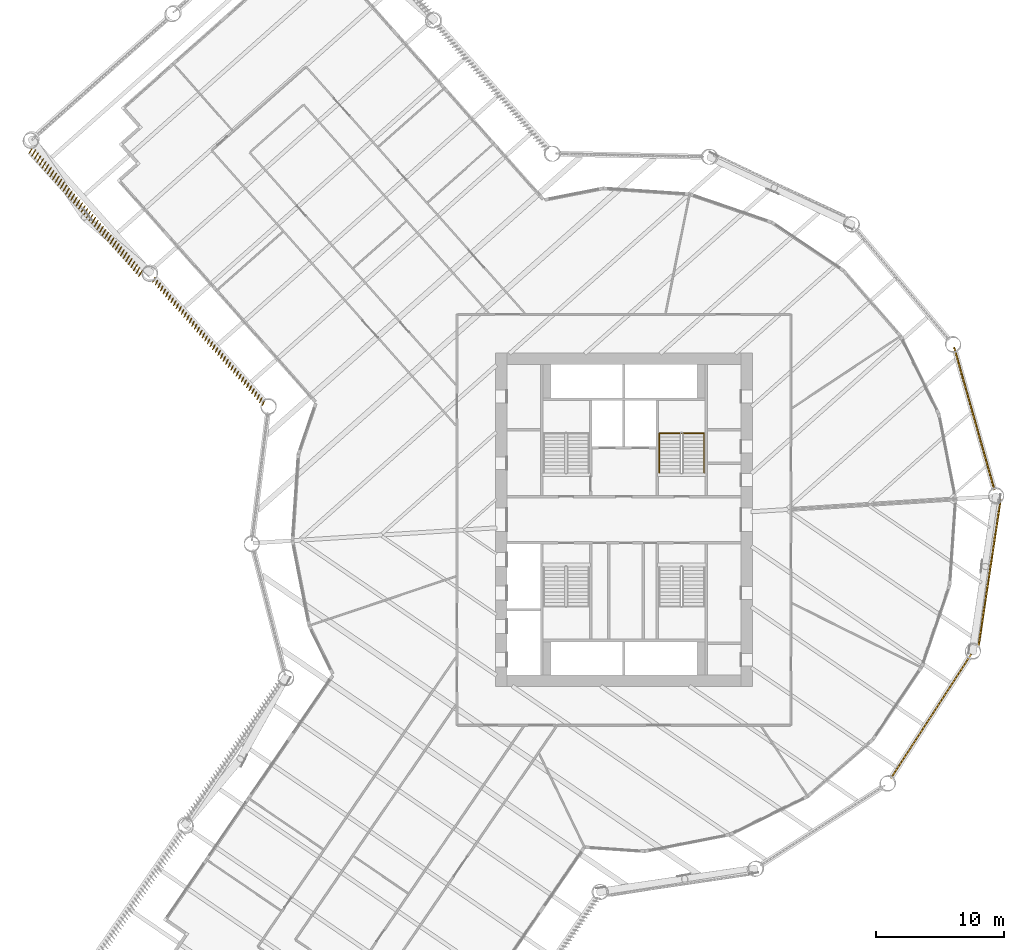
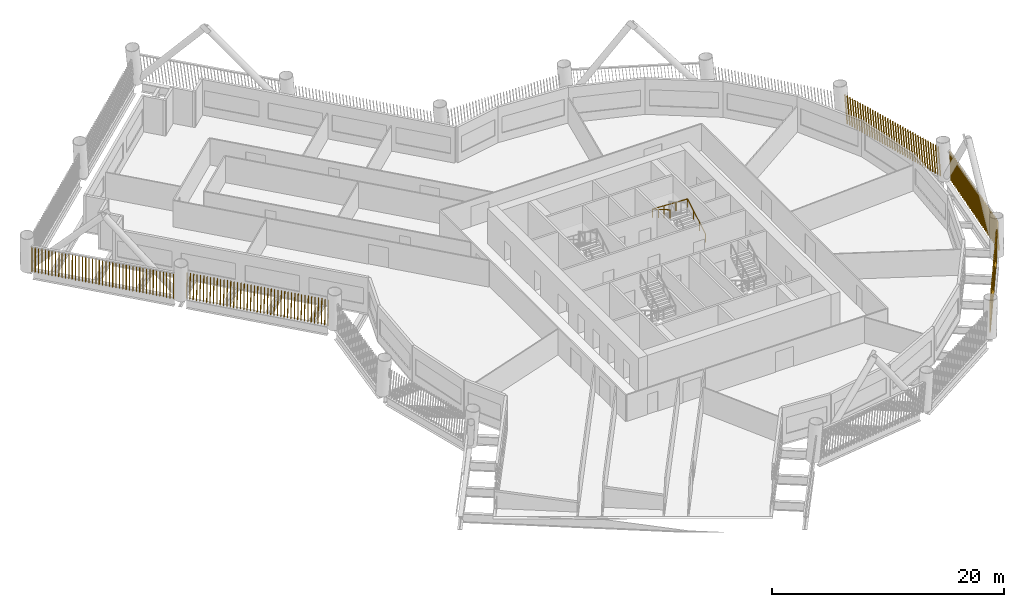
# One storey, part 20 of 22: 5 shading devices, 1 railing.
"""IFC4 building model written with IfcOpenShell, lengths in metres."""

from ifc_helpers import new_model, si_unit, direction, frame, frame_2d, origin, origin_2d, place, context, subcontext, project, spatial, rectangle, circle, composite_profile, extrude, material, type_object, element, save


model = new_model("IFC4")

# Units and contexts
model_context = context("Model", 3, precision=1e-05, world=origin(), true_north=direction((0.0, 1.0)))
body_context = subcontext(model_context, "Body", "Model", "MODEL_VIEW")
ifc_project = project(units=[si_unit("LENGTHUNIT", "METRE"), si_unit("AREAUNIT", "SQUARE_METRE"), si_unit("VOLUMEUNIT", "CUBIC_METRE"), si_unit("PLANEANGLEUNIT", "RADIAN"), si_unit("MASSUNIT", "GRAM", prefix="KILO")], contexts=[model_context])

# Site, building, storey
site_placement = place(None, origin())
site = spatial("IfcSite", under=ifc_project, at=site_placement, CompositionType="ELEMENT")
building_placement = place(site_placement, origin())
building = spatial("IfcBuilding", under=site, at=building_placement, Name="Tarsis Ring Headquarters", CompositionType="ELEMENT")
storey_placement = place(building_placement, frame((0.0, 0.0, 55.60009765625)))
storey = spatial("IfcBuildingStorey", under=building, at=storey_placement, Name="L11", CompositionType="ELEMENT", Elevation=55.60009765625)

# Railing
ifc_material_1 = material(Name="Steel S355", Category="steel")
railing_type = type_object("IfcRailingType", Name="Core stair handrail 900", PredefinedType="HANDRAIL", material=ifc_material_1)
railing_placement = place(storey_placement, frame((6.25, 3.659912109375, 0.162353515625)))
element("IfcRailing", 1, at=railing_placement, inside=storey, type_object=railing_type, Name="L11 ST2 stair handrail 1", PredefinedType="HANDRAIL", context=body_context, shape_type="SweptSolid", body=[
    extrude(circle(Radius=0.02392578125, at=origin_2d()), frame((0.0, 0.0, 0.8759765625), z_axis=(0.0, 0.864890721111, 0.501960198159), x_axis=(-1.0, 0.0, 0.0)), (0.0, 0.0, 1.0), 3.561279296875),
    extrude(circle(Radius=0.02392578125, at=origin_2d()), frame((0.0, 3.080078125, 2.66357421875), z_axis=(-0.998925869279, 0.0, 0.04633689335), x_axis=(0.0, -1.0, 0.0)), (0.0, 0.0, 1.0), 3.503662109375),
    extrude(circle(Radius=0.02392578125, at=origin_2d()), frame((-3.5, 3.080078125, 2.82568359375), z_axis=(0.0, -0.864890721111, 0.501960198159), x_axis=(1.0, 0.0, 0.0)), (0.0, 0.0, 1.0), 3.561279296875),
    extrude(circle(Radius=0.02099609375, at=origin_2d()), origin(), (0.0, 0.0, 1.0), 0.851806640625),
    extrude(circle(Radius=0.02099609375, at=origin_2d()), frame((0.0, 1.026611328125, 0.595947265625)), (0.0, 0.0, 1.0), 0.851806640625),
    extrude(circle(Radius=0.02099609375, at=origin_2d()), frame((0.0, 2.053466796875, 1.191650390625)), (0.0, 0.0, 1.0), 0.851806640625),
    extrude(circle(Radius=0.02099609375, at=origin_2d()), frame((0.0, 3.080078125, 1.78759765625)), (0.0, 0.0, 1.0), 0.851806640625),
    extrude(circle(Radius=0.02099609375, at=origin_2d()), frame((-1.166748046875, 3.080078125, 1.841796875)), (0.0, 0.0, 1.0), 0.851806640625),
    extrude(circle(Radius=0.02099609375, at=origin_2d()), frame((-2.333251953125, 3.080078125, 1.895751953125)), (0.0, 0.0, 1.0), 0.851806640625),
    extrude(circle(Radius=0.02099609375, at=origin_2d()), frame((-3.5, 3.080078125, 1.949951171875)), (0.0, 0.0, 1.0), 0.851806640625),
    extrude(circle(Radius=0.02099609375, at=origin_2d()), frame((-3.5, 2.053466796875, 2.5458984375)), (0.0, 0.0, 1.0), 0.851806640625),
    extrude(circle(Radius=0.02099609375, at=origin_2d()), frame((-3.5, 1.026611328125, 3.1416015625)), (0.0, 0.0, 1.0), 0.851806640625),
    extrude(circle(Radius=0.02099609375, at=origin_2d()), frame((-3.5, 0.0, 3.737548828125)), (0.0, 0.0, 1.0), 0.851806640625),
])

# Shading devices
ifc_material_2 = material(Name="Terracotta baguette", Category="masonry")
shading_device_type = type_object("IfcShadingDeviceType", Name="Terracotta baguette screen", PredefinedType="USERDEFINED", material=ifc_material_2)
shading_device_1_placement = place(storey_placement, frame((20.781494140625, -20.151123046875, 0.0), z_axis=(0.0, 0.0, 1.0), x_axis=(0.543384842434, 0.839482593975, 0.0)))
element("IfcShadingDevice", 2, at=shading_device_1_placement, inside=storey, type_object=shading_device_type, Name="Baguette screen L11-09", ObjectType="Terracotta baguette screen", PredefinedType="USERDEFINED", context=body_context, shape_type="SweptSolid", body=[
    extrude(composite_profile([rectangle(XDim=0.06005859375, YDim=0.1201171875, at=frame_2d((0.030029296875, 0.0))), rectangle(XDim=0.06005859375, YDim=0.1201171875, at=frame_2d((0.33251953125, 0.0))), rectangle(XDim=0.06005859375, YDim=0.1201171875, at=frame_2d((0.634765625, 0.0))), rectangle(XDim=0.06005859375, YDim=0.1201171875, at=frame_2d((0.937255859375, 0.0))), rectangle(XDim=0.06005859375, YDim=0.1201171875, at=frame_2d((1.239501953125, 0.0))), rectangle(XDim=0.06005859375, YDim=0.1201171875, at=frame_2d((1.5419921875, 0.0))), rectangle(XDim=0.06005859375, YDim=0.1201171875, at=frame_2d((1.844482421875, 0.0))), rectangle(XDim=0.06005859375, YDim=0.1201171875, at=frame_2d((2.146728515625, 0.0))), rectangle(XDim=0.06005859375, YDim=0.1201171875, at=frame_2d((2.44921875, 0.0))), rectangle(XDim=0.06005859375, YDim=0.1201171875, at=frame_2d((2.751708984375, 0.0))), rectangle(XDim=0.06005859375, YDim=0.1201171875, at=frame_2d((3.053955078125, 0.0))), rectangle(XDim=0.06005859375, YDim=0.1201171875, at=frame_2d((3.3564453125, 0.0))), rectangle(XDim=0.06005859375, YDim=0.1201171875, at=frame_2d((3.65869140625, 0.0))), rectangle(XDim=0.06005859375, YDim=0.1201171875, at=frame_2d((3.961181640625, 0.0))), rectangle(XDim=0.06005859375, YDim=0.1201171875, at=frame_2d((4.263671875, 0.0))), rectangle(XDim=0.06005859375, YDim=0.1201171875, at=frame_2d((4.56591796875, 0.0))), rectangle(XDim=0.06005859375, YDim=0.1201171875, at=frame_2d((4.868408203125, 0.0))), rectangle(XDim=0.06005859375, YDim=0.1201171875, at=frame_2d((5.1708984375, 0.0))), rectangle(XDim=0.06005859375, YDim=0.1201171875, at=frame_2d((5.47314453125, 0.0))), rectangle(XDim=0.06005859375, YDim=0.1201171875, at=frame_2d((5.775634765625, 0.0))), rectangle(XDim=0.06005859375, YDim=0.1201171875, at=frame_2d((6.077880859375, 0.0))), rectangle(XDim=0.06005859375, YDim=0.1201171875, at=frame_2d((6.38037109375, 0.0))), rectangle(XDim=0.06005859375, YDim=0.1201171875, at=frame_2d((6.682861328125, 0.0))), rectangle(XDim=0.06005859375, YDim=0.1201171875, at=frame_2d((6.985107421875, 0.0))), rectangle(XDim=0.06005859375, YDim=0.1201171875, at=frame_2d((7.28759765625, 0.0))), rectangle(XDim=0.06005859375, YDim=0.1201171875, at=frame_2d((7.590087890625, 0.0))), rectangle(XDim=0.06005859375, YDim=0.1201171875, at=frame_2d((7.892333984375, 0.0))), rectangle(XDim=0.06005859375, YDim=0.1201171875, at=frame_2d((8.19482421875, 0.0))), rectangle(XDim=0.06005859375, YDim=0.1201171875, at=frame_2d((8.4970703125, 0.0))), rectangle(XDim=0.06005859375, YDim=0.1201171875, at=frame_2d((8.799560546875, 0.0))), rectangle(XDim=0.06005859375, YDim=0.1201171875, at=frame_2d((9.10205078125, 0.0))), rectangle(XDim=0.06005859375, YDim=0.1201171875, at=frame_2d((9.404296875, 0.0))), rectangle(XDim=0.06005859375, YDim=0.1201171875, at=frame_2d((9.706787109375, 0.0))), rectangle(XDim=0.06005859375, YDim=0.1201171875, at=frame_2d((10.00927734375, 0.0))), rectangle(XDim=0.06005859375, YDim=0.1201171875, at=frame_2d((10.3115234375, 0.0))), rectangle(XDim=0.06005859375, YDim=0.1201171875, at=frame_2d((10.614013671875, 0.0))), rectangle(XDim=0.06005859375, YDim=0.1201171875, at=frame_2d((10.916259765625, 0.0))), rectangle(XDim=0.06005859375, YDim=0.1201171875, at=frame_2d((11.21875, 0.0)))]), origin(), (0.100208586636, 0.000525807721, 0.99496631234), 2.96728515625),
])
shading_device_2_placement = place(storey_placement, frame((27.611083984375, -9.849609375, 0.0), z_axis=(0.0, 0.0, 1.0), x_axis=(0.149036374685, 0.98882281448, 0.0)))
element("IfcShadingDevice", 3, at=shading_device_2_placement, inside=storey, type_object=shading_device_type, Name="Baguette screen L11-10", ObjectType="Terracotta baguette screen", PredefinedType="USERDEFINED", context=body_context, shape_type="SweptSolid", body=[
    extrude(composite_profile([rectangle(XDim=0.06005859375, YDim=0.1201171875, at=frame_2d((0.030029296875, 0.0))), rectangle(XDim=0.06005859375, YDim=0.1201171875, at=frame_2d((0.33251953125, 0.0))), rectangle(XDim=0.06005859375, YDim=0.1201171875, at=frame_2d((0.634765625, 0.0))), rectangle(XDim=0.06005859375, YDim=0.1201171875, at=frame_2d((0.937255859375, 0.0))), rectangle(XDim=0.06005859375, YDim=0.1201171875, at=frame_2d((1.239501953125, 0.0))), rectangle(XDim=0.06005859375, YDim=0.1201171875, at=frame_2d((1.5419921875, 0.0))), rectangle(XDim=0.06005859375, YDim=0.1201171875, at=frame_2d((1.844482421875, 0.0))), rectangle(XDim=0.06005859375, YDim=0.1201171875, at=frame_2d((2.146728515625, 0.0))), rectangle(XDim=0.06005859375, YDim=0.1201171875, at=frame_2d((2.44921875, 0.0))), rectangle(XDim=0.06005859375, YDim=0.1201171875, at=frame_2d((2.751708984375, 0.0))), rectangle(XDim=0.06005859375, YDim=0.1201171875, at=frame_2d((3.053955078125, 0.0))), rectangle(XDim=0.06005859375, YDim=0.1201171875, at=frame_2d((3.3564453125, 0.0))), rectangle(XDim=0.06005859375, YDim=0.1201171875, at=frame_2d((3.65869140625, 0.0))), rectangle(XDim=0.06005859375, YDim=0.1201171875, at=frame_2d((3.961181640625, 0.0))), rectangle(XDim=0.06005859375, YDim=0.1201171875, at=frame_2d((4.263671875, 0.0))), rectangle(XDim=0.06005859375, YDim=0.1201171875, at=frame_2d((4.56591796875, 0.0))), rectangle(XDim=0.06005859375, YDim=0.1201171875, at=frame_2d((4.868408203125, 0.0))), rectangle(XDim=0.06005859375, YDim=0.1201171875, at=frame_2d((5.1708984375, 0.0))), rectangle(XDim=0.06005859375, YDim=0.1201171875, at=frame_2d((5.47314453125, 0.0))), rectangle(XDim=0.06005859375, YDim=0.1201171875, at=frame_2d((5.775634765625, 0.0))), rectangle(XDim=0.06005859375, YDim=0.1201171875, at=frame_2d((6.077880859375, 0.0))), rectangle(XDim=0.06005859375, YDim=0.1201171875, at=frame_2d((6.38037109375, 0.0))), rectangle(XDim=0.06005859375, YDim=0.1201171875, at=frame_2d((6.682861328125, 0.0))), rectangle(XDim=0.06005859375, YDim=0.1201171875, at=frame_2d((6.985107421875, 0.0))), rectangle(XDim=0.06005859375, YDim=0.1201171875, at=frame_2d((7.28759765625, 0.0))), rectangle(XDim=0.06005859375, YDim=0.1201171875, at=frame_2d((7.590087890625, 0.0))), rectangle(XDim=0.06005859375, YDim=0.1201171875, at=frame_2d((7.892333984375, 0.0))), rectangle(XDim=0.06005859375, YDim=0.1201171875, at=frame_2d((8.19482421875, 0.0))), rectangle(XDim=0.06005859375, YDim=0.1201171875, at=frame_2d((8.4970703125, 0.0))), rectangle(XDim=0.06005859375, YDim=0.1201171875, at=frame_2d((8.799560546875, 0.0))), rectangle(XDim=0.06005859375, YDim=0.1201171875, at=frame_2d((9.10205078125, 0.0))), rectangle(XDim=0.06005859375, YDim=0.1201171875, at=frame_2d((9.404296875, 0.0))), rectangle(XDim=0.06005859375, YDim=0.1201171875, at=frame_2d((9.706787109375, 0.0))), rectangle(XDim=0.06005859375, YDim=0.1201171875, at=frame_2d((10.00927734375, 0.0))), rectangle(XDim=0.06005859375, YDim=0.1201171875, at=frame_2d((10.3115234375, 0.0))), rectangle(XDim=0.06005859375, YDim=0.1201171875, at=frame_2d((10.614013671875, 0.0))), rectangle(XDim=0.06005859375, YDim=0.1201171875, at=frame_2d((10.916259765625, 0.0))), rectangle(XDim=0.06005859375, YDim=0.1201171875, at=frame_2d((11.21875, 0.0)))]), origin(), (0.101517894599, 0.000531264791, 0.994833571425), 2.9677734375),
])
shading_device_3_placement = place(storey_placement, frame((28.855224609375, 2.30517578125, 0.0), z_axis=(0.0, 0.0, 1.0), x_axis=(-0.271795984807, 0.962365708085, 0.0)))
element("IfcShadingDevice", 4, at=shading_device_3_placement, inside=storey, type_object=shading_device_type, Name="Baguette screen L11-11", ObjectType="Terracotta baguette screen", PredefinedType="USERDEFINED", context=body_context, shape_type="SweptSolid", body=[
    extrude(composite_profile([rectangle(XDim=0.06005859375, YDim=0.1201171875, at=frame_2d((0.030029296875, 0.0))), rectangle(XDim=0.06005859375, YDim=0.1201171875, at=frame_2d((0.33251953125, 0.0))), rectangle(XDim=0.06005859375, YDim=0.1201171875, at=frame_2d((0.634765625, 0.0))), rectangle(XDim=0.06005859375, YDim=0.1201171875, at=frame_2d((0.937255859375, 0.0))), rectangle(XDim=0.06005859375, YDim=0.1201171875, at=frame_2d((1.239501953125, 0.0))), rectangle(XDim=0.06005859375, YDim=0.1201171875, at=frame_2d((1.5419921875, 0.0))), rectangle(XDim=0.06005859375, YDim=0.1201171875, at=frame_2d((1.844482421875, 0.0))), rectangle(XDim=0.06005859375, YDim=0.1201171875, at=frame_2d((2.146728515625, 0.0))), rectangle(XDim=0.06005859375, YDim=0.1201171875, at=frame_2d((2.44921875, 0.0))), rectangle(XDim=0.06005859375, YDim=0.1201171875, at=frame_2d((2.751708984375, 0.0))), rectangle(XDim=0.06005859375, YDim=0.1201171875, at=frame_2d((3.053955078125, 0.0))), rectangle(XDim=0.06005859375, YDim=0.1201171875, at=frame_2d((3.3564453125, 0.0))), rectangle(XDim=0.06005859375, YDim=0.1201171875, at=frame_2d((3.65869140625, 0.0))), rectangle(XDim=0.06005859375, YDim=0.1201171875, at=frame_2d((3.961181640625, 0.0))), rectangle(XDim=0.06005859375, YDim=0.1201171875, at=frame_2d((4.263671875, 0.0))), rectangle(XDim=0.06005859375, YDim=0.1201171875, at=frame_2d((4.56591796875, 0.0))), rectangle(XDim=0.06005859375, YDim=0.1201171875, at=frame_2d((4.868408203125, 0.0))), rectangle(XDim=0.06005859375, YDim=0.1201171875, at=frame_2d((5.1708984375, 0.0))), rectangle(XDim=0.06005859375, YDim=0.1201171875, at=frame_2d((5.47314453125, 0.0))), rectangle(XDim=0.06005859375, YDim=0.1201171875, at=frame_2d((5.775634765625, 0.0))), rectangle(XDim=0.06005859375, YDim=0.1201171875, at=frame_2d((6.077880859375, 0.0))), rectangle(XDim=0.06005859375, YDim=0.1201171875, at=frame_2d((6.38037109375, 0.0))), rectangle(XDim=0.06005859375, YDim=0.1201171875, at=frame_2d((6.682861328125, 0.0))), rectangle(XDim=0.06005859375, YDim=0.1201171875, at=frame_2d((6.985107421875, 0.0))), rectangle(XDim=0.06005859375, YDim=0.1201171875, at=frame_2d((7.28759765625, 0.0))), rectangle(XDim=0.06005859375, YDim=0.1201171875, at=frame_2d((7.590087890625, 0.0))), rectangle(XDim=0.06005859375, YDim=0.1201171875, at=frame_2d((7.892333984375, 0.0))), rectangle(XDim=0.06005859375, YDim=0.1201171875, at=frame_2d((8.19482421875, 0.0))), rectangle(XDim=0.06005859375, YDim=0.1201171875, at=frame_2d((8.4970703125, 0.0))), rectangle(XDim=0.06005859375, YDim=0.1201171875, at=frame_2d((8.799560546875, 0.0))), rectangle(XDim=0.06005859375, YDim=0.1201171875, at=frame_2d((9.10205078125, 0.0))), rectangle(XDim=0.06005859375, YDim=0.1201171875, at=frame_2d((9.404296875, 0.0))), rectangle(XDim=0.06005859375, YDim=0.1201171875, at=frame_2d((9.706787109375, 0.0))), rectangle(XDim=0.06005859375, YDim=0.1201171875, at=frame_2d((10.00927734375, 0.0))), rectangle(XDim=0.06005859375, YDim=0.1201171875, at=frame_2d((10.3115234375, 0.0))), rectangle(XDim=0.06005859375, YDim=0.1201171875, at=frame_2d((10.614013671875, 0.0))), rectangle(XDim=0.06005859375, YDim=0.1201171875, at=frame_2d((10.916259765625, 0.0))), rectangle(XDim=0.06005859375, YDim=0.1201171875, at=frame_2d((11.21875, 0.0)))]), origin(), (0.100210043251, 0.000525092606, 0.994966166012), 2.96728515625),
])
shading_device_4_placement = place(storey_placement, frame((-46.0712890625, 29.03466796875, 0.0), z_axis=(0.0, 0.0, 1.0), x_axis=(0.66393551195, -0.747800253562, 0.0)))
element("IfcShadingDevice", 5, at=shading_device_4_placement, inside=storey, type_object=shading_device_type, Name="Baguette screen L11-19", ObjectType="Terracotta baguette screen", PredefinedType="USERDEFINED", context=body_context, shape_type="SweptSolid", body=[
    extrude(composite_profile([rectangle(XDim=0.06005859375, YDim=0.1201171875, at=frame_2d((0.030029296875, 0.0))), rectangle(XDim=0.06005859375, YDim=0.1201171875, at=frame_2d((0.335693359375, 0.0))), rectangle(XDim=0.06005859375, YDim=0.1201171875, at=frame_2d((0.6416015625, 0.0))), rectangle(XDim=0.06005859375, YDim=0.1201171875, at=frame_2d((0.947265625, 0.0))), rectangle(XDim=0.06005859375, YDim=0.1201171875, at=frame_2d((1.253173828125, 0.0))), rectangle(XDim=0.06005859375, YDim=0.1201171875, at=frame_2d((1.558837890625, 0.0))), rectangle(XDim=0.06005859375, YDim=0.1201171875, at=frame_2d((1.864501953125, 0.0))), rectangle(XDim=0.06005859375, YDim=0.1201171875, at=frame_2d((2.17041015625, 0.0))), rectangle(XDim=0.06005859375, YDim=0.1201171875, at=frame_2d((2.47607421875, 0.0))), rectangle(XDim=0.06005859375, YDim=0.1201171875, at=frame_2d((2.781982421875, 0.0))), rectangle(XDim=0.06005859375, YDim=0.1201171875, at=frame_2d((3.087646484375, 0.0))), rectangle(XDim=0.06005859375, YDim=0.1201171875, at=frame_2d((3.393310546875, 0.0))), rectangle(XDim=0.06005859375, YDim=0.1201171875, at=frame_2d((3.69921875, 0.0))), rectangle(XDim=0.06005859375, YDim=0.1201171875, at=frame_2d((4.0048828125, 0.0))), rectangle(XDim=0.06005859375, YDim=0.1201171875, at=frame_2d((4.310791015625, 0.0))), rectangle(XDim=0.06005859375, YDim=0.1201171875, at=frame_2d((4.616455078125, 0.0))), rectangle(XDim=0.06005859375, YDim=0.1201171875, at=frame_2d((4.922119140625, 0.0))), rectangle(XDim=0.06005859375, YDim=0.1201171875, at=frame_2d((5.22802734375, 0.0))), rectangle(XDim=0.06005859375, YDim=0.1201171875, at=frame_2d((5.53369140625, 0.0))), rectangle(XDim=0.06005859375, YDim=0.1201171875, at=frame_2d((5.839599609375, 0.0))), rectangle(XDim=0.06005859375, YDim=0.1201171875, at=frame_2d((6.145263671875, 0.0))), rectangle(XDim=0.06005859375, YDim=0.1201171875, at=frame_2d((6.451171875, 0.0))), rectangle(XDim=0.06005859375, YDim=0.1201171875, at=frame_2d((6.7568359375, 0.0))), rectangle(XDim=0.06005859375, YDim=0.1201171875, at=frame_2d((7.0625, 0.0))), rectangle(XDim=0.06005859375, YDim=0.1201171875, at=frame_2d((7.368408203125, 0.0))), rectangle(XDim=0.06005859375, YDim=0.1201171875, at=frame_2d((7.674072265625, 0.0))), rectangle(XDim=0.06005859375, YDim=0.1201171875, at=frame_2d((7.97998046875, 0.0))), rectangle(XDim=0.06005859375, YDim=0.1201171875, at=frame_2d((8.28564453125, 0.0))), rectangle(XDim=0.06005859375, YDim=0.1201171875, at=frame_2d((8.59130859375, 0.0))), rectangle(XDim=0.06005859375, YDim=0.1201171875, at=frame_2d((8.897216796875, 0.0))), rectangle(XDim=0.06005859375, YDim=0.1201171875, at=frame_2d((9.202880859375, 0.0))), rectangle(XDim=0.06005859375, YDim=0.1201171875, at=frame_2d((9.5087890625, 0.0))), rectangle(XDim=0.06005859375, YDim=0.1201171875, at=frame_2d((9.814453125, 0.0))), rectangle(XDim=0.06005859375, YDim=0.1201171875, at=frame_2d((10.1201171875, 0.0))), rectangle(XDim=0.06005859375, YDim=0.1201171875, at=frame_2d((10.426025390625, 0.0))), rectangle(XDim=0.06005859375, YDim=0.1201171875, at=frame_2d((10.731689453125, 0.0))), rectangle(XDim=0.06005859375, YDim=0.1201171875, at=frame_2d((11.03759765625, 0.0))), rectangle(XDim=0.06005859375, YDim=0.1201171875, at=frame_2d((11.34326171875, 0.0))), rectangle(XDim=0.06005859375, YDim=0.1201171875, at=frame_2d((11.64892578125, 0.0))), rectangle(XDim=0.06005859375, YDim=0.1201171875, at=frame_2d((11.954833984375, 0.0))), rectangle(XDim=0.06005859375, YDim=0.1201171875, at=frame_2d((12.260498046875, 0.0))), rectangle(XDim=0.06005859375, YDim=0.1201171875, at=frame_2d((12.56640625, 0.0))), rectangle(XDim=0.06005859375, YDim=0.1201171875, at=frame_2d((12.8720703125, 0.0)))]), origin(), (0.053889884709, -0.160009428293, 0.985643375255), 2.995361328125),
])
shading_device_5_placement = place(storey_placement, frame((-36.560791015625, 18.8876953125, 0.0), z_axis=(0.0, 0.0, 1.0), x_axis=(0.66393551195, -0.747800253562, 0.0)))
element("IfcShadingDevice", 6, at=shading_device_5_placement, inside=storey, type_object=shading_device_type, Name="Baguette screen L11-20", ObjectType="Terracotta baguette screen", PredefinedType="USERDEFINED", context=body_context, shape_type="SweptSolid", body=[
    extrude(composite_profile([rectangle(XDim=0.06005859375, YDim=0.1201171875, at=frame_2d((0.030029296875, 0.0))), rectangle(XDim=0.06005859375, YDim=0.1201171875, at=frame_2d((0.335693359375, 0.0))), rectangle(XDim=0.06005859375, YDim=0.1201171875, at=frame_2d((0.6416015625, 0.0))), rectangle(XDim=0.06005859375, YDim=0.1201171875, at=frame_2d((0.947265625, 0.0))), rectangle(XDim=0.06005859375, YDim=0.1201171875, at=frame_2d((1.253173828125, 0.0))), rectangle(XDim=0.06005859375, YDim=0.1201171875, at=frame_2d((1.558837890625, 0.0))), rectangle(XDim=0.06005859375, YDim=0.1201171875, at=frame_2d((1.864501953125, 0.0))), rectangle(XDim=0.06005859375, YDim=0.1201171875, at=frame_2d((2.17041015625, 0.0))), rectangle(XDim=0.06005859375, YDim=0.1201171875, at=frame_2d((2.47607421875, 0.0))), rectangle(XDim=0.06005859375, YDim=0.1201171875, at=frame_2d((2.781982421875, 0.0))), rectangle(XDim=0.06005859375, YDim=0.1201171875, at=frame_2d((3.087646484375, 0.0))), rectangle(XDim=0.06005859375, YDim=0.1201171875, at=frame_2d((3.393310546875, 0.0))), rectangle(XDim=0.06005859375, YDim=0.1201171875, at=frame_2d((3.69921875, 0.0))), rectangle(XDim=0.06005859375, YDim=0.1201171875, at=frame_2d((4.0048828125, 0.0))), rectangle(XDim=0.06005859375, YDim=0.1201171875, at=frame_2d((4.310791015625, 0.0))), rectangle(XDim=0.06005859375, YDim=0.1201171875, at=frame_2d((4.616455078125, 0.0))), rectangle(XDim=0.06005859375, YDim=0.1201171875, at=frame_2d((4.922119140625, 0.0))), rectangle(XDim=0.06005859375, YDim=0.1201171875, at=frame_2d((5.22802734375, 0.0))), rectangle(XDim=0.06005859375, YDim=0.1201171875, at=frame_2d((5.53369140625, 0.0))), rectangle(XDim=0.06005859375, YDim=0.1201171875, at=frame_2d((5.839599609375, 0.0))), rectangle(XDim=0.06005859375, YDim=0.1201171875, at=frame_2d((6.145263671875, 0.0))), rectangle(XDim=0.06005859375, YDim=0.1201171875, at=frame_2d((6.451171875, 0.0))), rectangle(XDim=0.06005859375, YDim=0.1201171875, at=frame_2d((6.7568359375, 0.0))), rectangle(XDim=0.06005859375, YDim=0.1201171875, at=frame_2d((7.0625, 0.0))), rectangle(XDim=0.06005859375, YDim=0.1201171875, at=frame_2d((7.368408203125, 0.0))), rectangle(XDim=0.06005859375, YDim=0.1201171875, at=frame_2d((7.674072265625, 0.0))), rectangle(XDim=0.06005859375, YDim=0.1201171875, at=frame_2d((7.97998046875, 0.0))), rectangle(XDim=0.06005859375, YDim=0.1201171875, at=frame_2d((8.28564453125, 0.0))), rectangle(XDim=0.06005859375, YDim=0.1201171875, at=frame_2d((8.59130859375, 0.0))), rectangle(XDim=0.06005859375, YDim=0.1201171875, at=frame_2d((8.897216796875, 0.0))), rectangle(XDim=0.06005859375, YDim=0.1201171875, at=frame_2d((9.202880859375, 0.0))), rectangle(XDim=0.06005859375, YDim=0.1201171875, at=frame_2d((9.5087890625, 0.0))), rectangle(XDim=0.06005859375, YDim=0.1201171875, at=frame_2d((9.814453125, 0.0))), rectangle(XDim=0.06005859375, YDim=0.1201171875, at=frame_2d((10.1201171875, 0.0))), rectangle(XDim=0.06005859375, YDim=0.1201171875, at=frame_2d((10.426025390625, 0.0))), rectangle(XDim=0.06005859375, YDim=0.1201171875, at=frame_2d((10.731689453125, 0.0))), rectangle(XDim=0.06005859375, YDim=0.1201171875, at=frame_2d((11.03759765625, 0.0))), rectangle(XDim=0.06005859375, YDim=0.1201171875, at=frame_2d((11.34326171875, 0.0))), rectangle(XDim=0.06005859375, YDim=0.1201171875, at=frame_2d((11.64892578125, 0.0))), rectangle(XDim=0.06005859375, YDim=0.1201171875, at=frame_2d((11.954833984375, 0.0))), rectangle(XDim=0.06005859375, YDim=0.1201171875, at=frame_2d((12.260498046875, 0.0))), rectangle(XDim=0.06005859375, YDim=0.1201171875, at=frame_2d((12.56640625, 0.0))), rectangle(XDim=0.06005859375, YDim=0.1201171875, at=frame_2d((12.8720703125, 0.0)))]), origin(), (0.052677734014, -0.112165768621, 0.99229224359), 2.975341796875),
])

save(model, "model.ifc")
